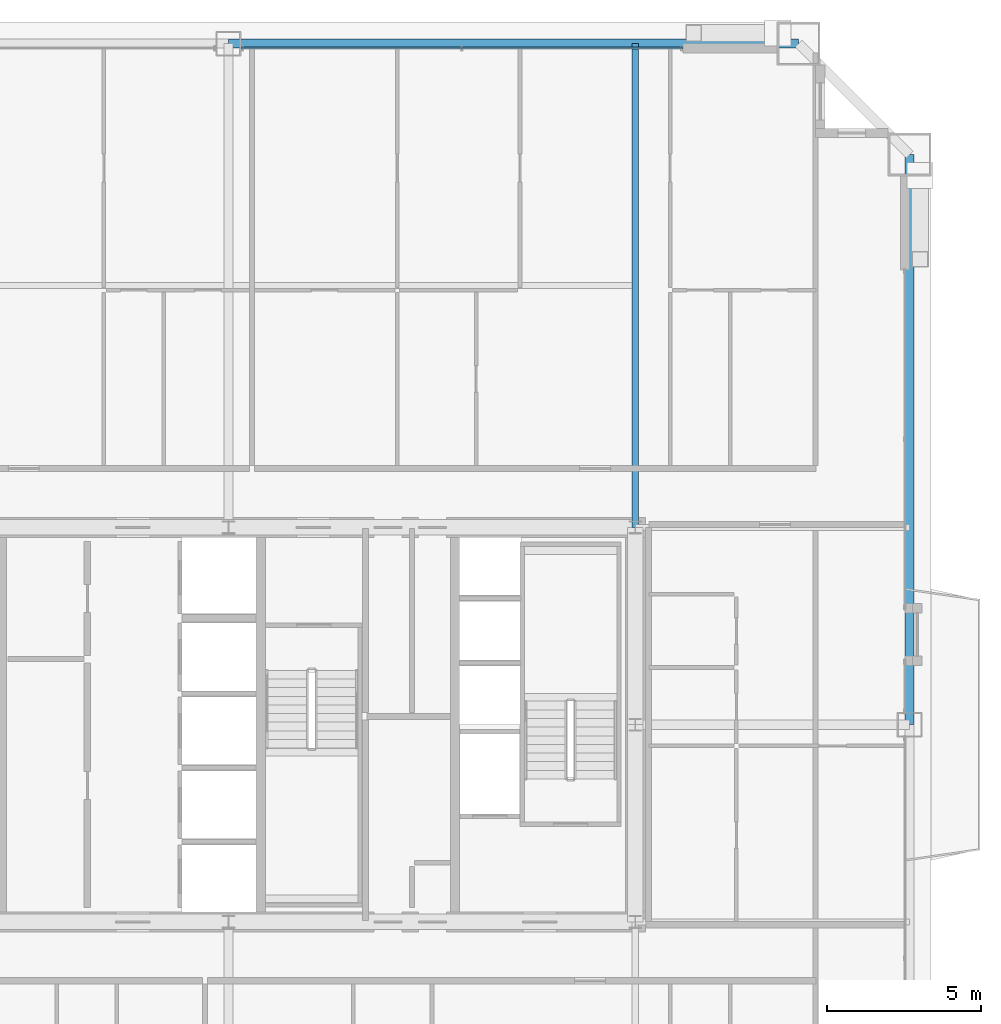
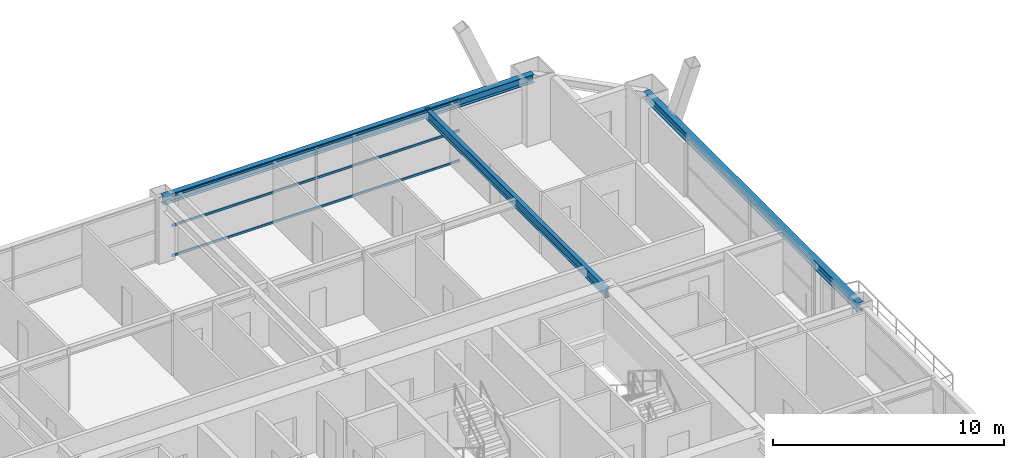
# One storey, part 36 of 45: 3 beams, 3 members, 1 element without a shape of its own.
"""IFC4 building model written with IfcOpenShell, lengths in metres."""

from ifc_helpers import new_model, si_unit, direction, frame, origin, origin_2d, place, context, subcontext, project, spatial, hollow_rectangle, i_section, extrude, source, transform, mapped, material, layer, layer_set, material_profile, profile_set, type_object, element, aggregate, save


model = new_model("IFC4")

# Units and contexts
model_context = context("Model", 3, precision=1e-05, world=origin(), true_north=direction((0.0, 1.0)))
body_context = subcontext(model_context, "Body", "Model", "MODEL_VIEW")
ifc_project = project(units=[si_unit("LENGTHUNIT", "METRE"), si_unit("AREAUNIT", "SQUARE_METRE"), si_unit("VOLUMEUNIT", "CUBIC_METRE"), si_unit("PLANEANGLEUNIT", "RADIAN"), si_unit("MASSUNIT", "GRAM", prefix="KILO"), si_unit("THERMODYNAMICTEMPERATUREUNIT", "KELVIN"), si_unit("POWERUNIT", "WATT")], contexts=[model_context])

# Site, building, storey
site_placement = place(None, origin())
site = spatial("IfcSite", under=ifc_project, at=site_placement, CompositionType="ELEMENT")
building_placement = place(site_placement, origin())
building = spatial("IfcBuilding", under=site, at=building_placement, Name="Yuzanri Waterfront Tower", CompositionType="ELEMENT")
storey_placement = place(building_placement, frame((0.0, 0.0, 191.5)))
storey = spatial("IfcBuildingStorey", under=building, at=storey_placement, Name="L50", CompositionType="ELEMENT", Elevation=191.5)

# Beams
ifc_material_1 = material(Name="Steel Q355B", Category="steel")
ifc_material_profile_1 = material_profile(ifc_material_1, i_section(OverallWidth=0.300048828125, OverallDepth=0.43994140625, WebThickness=0.010986328125, FlangeThickness=0.01806640625, at=origin_2d()), Name="HM 440x300x11x18")
ifc_profile_set_1 = profile_set([ifc_material_profile_1], Name="Steel Q355B")
beam_type_1 = type_object("IfcBeamType", Name="Perimeter Spandrel Q355B HM 440x300", PredefinedType="SPANDREL", material=ifc_profile_set_1)
shared_shape_1 = source(origin(), body_context, "Body", "SweptSolid", [
    extrude(i_section(OverallWidth=0.300048828125, OverallDepth=0.43994140625, WebThickness=0.010986328125, FlangeThickness=0.01806640625, at=origin_2d()), origin(), (0.0, 0.0, 1.0), 18.5),
])
for number, where, z_axis, x_axis, name in (
    (1, (59.10009765625, 25.800048828125, 3.06005859375), (0.0, 1.0, 0.0), (-1.0, 0.0, 0.0), "L50 Perimeter Spandrel E2-E3"),
    (2, (55.5, 47.89990234375, 3.06005859375), (-1.0, 0.0, 0.0), (0.0, -1.0, 0.0), "L50 Perimeter Spandrel N3-N2"),
):
    element("IfcBeam", number, at=place(storey_placement, frame(where, z_axis=z_axis, x_axis=x_axis)), inside=storey, type_object=beam_type_1, Name=name, PredefinedType="SPANDREL", context=body_context, shape_type="MappedRepresentation", body=[
        mapped(shared_shape_1, transform((0.0, 0.0, 0.0), scale=1.0)),
    ])
ifc_material_2 = material(Name="Steel Q355B", Category="steel")
ifc_material_profile_2 = material_profile(ifc_material_2, i_section(OverallWidth=0.199951171875, OverallDepth=0.5, WebThickness=0.010009765625, FlangeThickness=0.01611328125, at=origin_2d()), Name="HN 500x200x10x16")
ifc_profile_set_2 = profile_set([ifc_material_profile_2], Name="Steel Q355B")
beam_type_2 = type_object("IfcBeamType", Name="Secondary Floor Beam Q355B HN 500x200", PredefinedType="BEAM", material=ifc_profile_set_2)
shared_shape_2 = source(origin(), body_context, "Body", "SweptSolid", [
    extrude(i_section(OverallWidth=0.199951171875, OverallDepth=0.5, WebThickness=0.010009765625, FlangeThickness=0.01611328125, at=origin_2d()), origin(), (0.0, 0.0, 1.0), 15.699951171875),
])
beam_placement = place(storey_placement, frame((50.199951171875, 32.199951171875, 3.030029296875), z_axis=(0.0, 1.0, 0.0), x_axis=(-1.0, 0.0, 0.0)))
element("IfcBeam", 3, at=beam_placement, inside=storey, type_object=beam_type_2, Name="L50 North-East Core Line Beam", PredefinedType="BEAM", context=body_context, shape_type="MappedRepresentation", body=[
    mapped(shared_shape_2, transform((0.0, 0.0, 0.0), scale=1.0)),
])

# Curtain wall, members
ifc_material_3 = material(Name="Anodized Architectural Bronze", Category="metal")
ifc_layer = layer(ifc_material_3, 0.159912109375)
ifc_layer_set = layer_set([ifc_layer], Name="Anodized Architectural Bronze")
curtain_wall_type = type_object("IfcCurtainWallType", Name="Anodized Bronze Mid-Rise Residential Acoustic Unitized Curtain Wall 7200", PredefinedType="NOTDEFINED", material=ifc_layer_set)
curtain_wall_placement = place(storey_placement, origin())
curtain_wall = element("IfcCurtainWall", 4, at=curtain_wall_placement, inside=storey, type_object=curtain_wall_type, Name="L50 Curtain Wall CW-L50-NR", PredefinedType="NOTDEFINED")
ifc_material_4 = material(Name="Anodized Architectural Bronze", Category="metal")
ifc_material_profile_3 = material_profile(ifc_material_4, hollow_rectangle(XDim=0.06494140625, YDim=0.1201171875, WallThickness=0.00341796875, at=origin_2d()), Name="CWT 65x120")
ifc_profile_set_3 = profile_set([ifc_material_profile_3], Name="Anodized Architectural Bronze")
member_type = type_object("IfcMemberType", Name="Anodized Bronze Secondary Curtain-Wall Transom 65x120", PredefinedType="USERDEFINED", material=ifc_profile_set_3)
shared_shape_3 = source(origin(), body_context, "Body", "SweptSolid", [
    extrude(hollow_rectangle(XDim=0.06494140625, YDim=0.1201171875, WallThickness=0.00341796875, at=origin_2d()), origin(), (0.0, 0.0, 1.0), 14.35009765625),
])
member_1_placement = place(storey_placement, frame((37.39990234375, 47.75, 0.050048828125), z_axis=(1.0, 0.0, 0.0), x_axis=(0.0, 1.0, 0.0)))
member_1 = element("IfcMember", 5, at=member_1_placement, type_object=member_type, Name="CW-L50-NR Transom 1", ObjectType="TRANSOM", PredefinedType="USERDEFINED", context=body_context, shape_type="MappedRepresentation", body=[
    mapped(shared_shape_3, transform((0.0, 0.0, 0.0), scale=1.0)),
])
member_2_placement = place(storey_placement, frame((37.39990234375, 47.75, 1.639892578125), z_axis=(1.0, 0.0, 0.0), x_axis=(0.0, 1.0, 0.0)))
member_2 = element("IfcMember", 6, at=member_2_placement, type_object=member_type, Name="CW-L50-NR Transom 2", ObjectType="TRANSOM", PredefinedType="USERDEFINED", context=body_context, shape_type="MappedRepresentation", body=[
    mapped(shared_shape_3, transform((0.0, 0.0, 0.0), scale=1.0)),
])
member_3_placement = place(storey_placement, frame((37.39990234375, 47.75, 3.22998046875), z_axis=(1.0, 0.0, 0.0), x_axis=(0.0, 1.0, 0.0)))
member_3 = element("IfcMember", 7, at=member_3_placement, type_object=member_type, Name="CW-L50-NR Transom 3", ObjectType="TRANSOM", PredefinedType="USERDEFINED", context=body_context, shape_type="MappedRepresentation", body=[
    mapped(shared_shape_3, transform((0.0, 0.0, 0.0), scale=1.0)),
])
aggregate(curtain_wall, [member_1, member_2, member_3])

save(model, "model.ifc")
